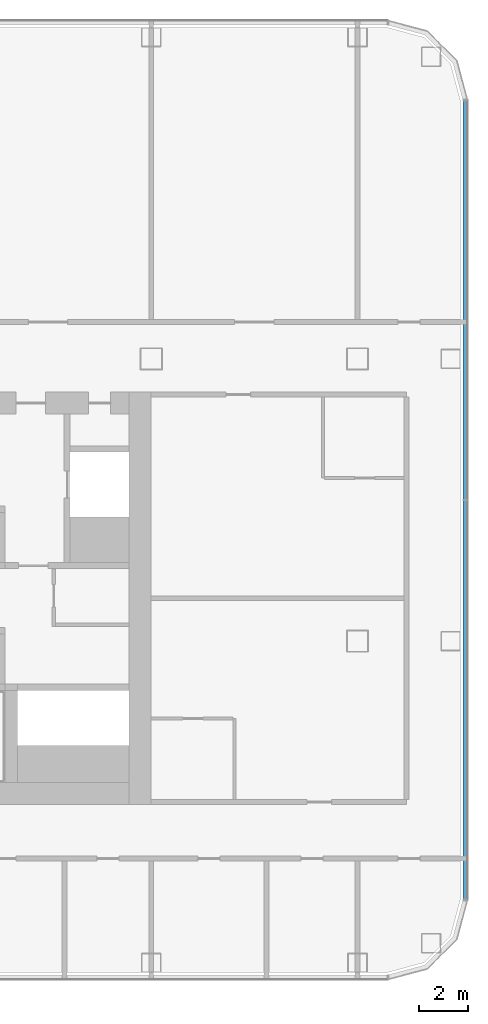
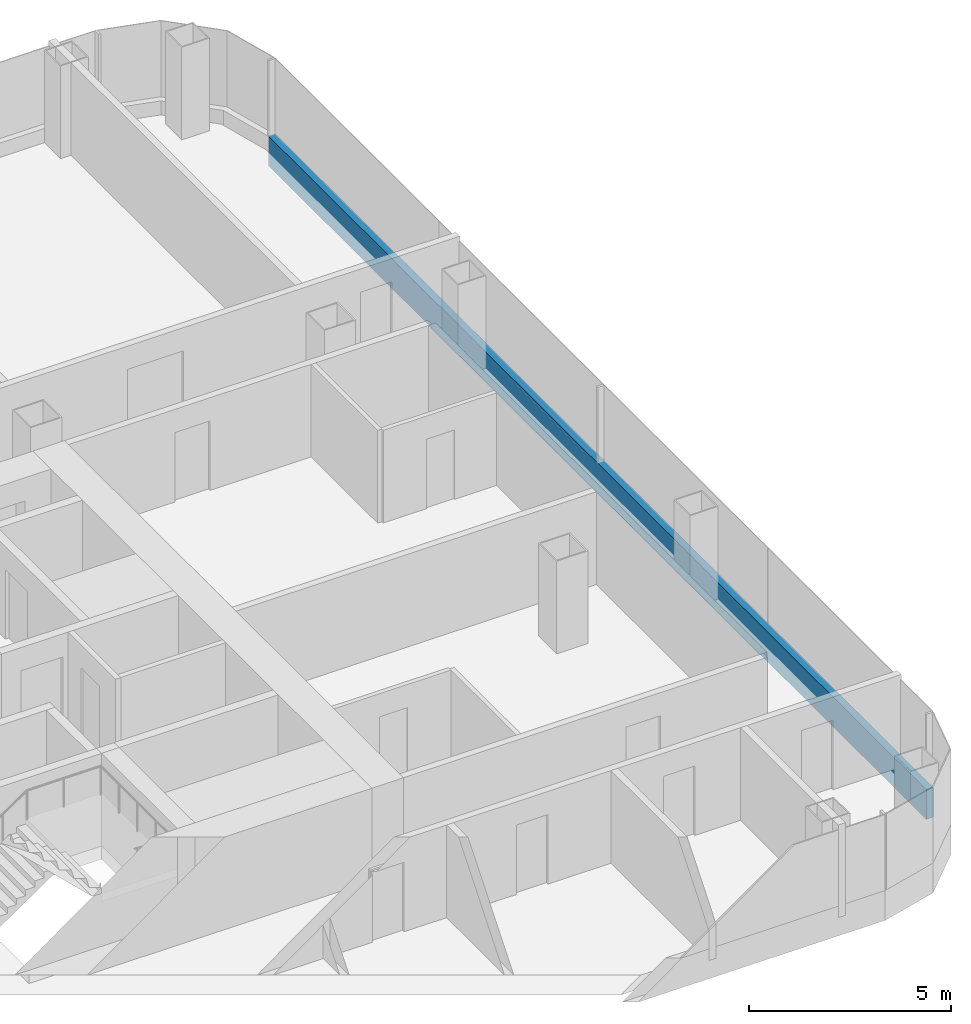
# One storey, part 12 of 29: 1 member, 1 element without a shape of its own.
"""IFC4 building model written with IfcOpenShell, lengths in metres."""

from ifc_helpers import new_model, si_unit, direction, frame, origin, origin_2d, place, context, subcontext, project, spatial, rectangle, extrude, material, layer, layer_set, material_profile, profile_set, type_object, element, aggregate, save


model = new_model("IFC4")

# Units and contexts
model_context = context("Model", 3, precision=1e-05, world=origin(), true_north=direction((0.0, 1.0)))
body_context = subcontext(model_context, "Body", "Model", "MODEL_VIEW")
ifc_project = project(units=[si_unit("LENGTHUNIT", "METRE"), si_unit("AREAUNIT", "SQUARE_METRE"), si_unit("VOLUMEUNIT", "CUBIC_METRE"), si_unit("PLANEANGLEUNIT", "RADIAN"), si_unit("MASSUNIT", "GRAM", prefix="KILO")], contexts=[model_context])

# Site, building, storey
site_placement = place(None, origin())
site = spatial("IfcSite", under=ifc_project, at=site_placement, CompositionType="ELEMENT")
building_placement = place(site_placement, origin())
building = spatial("IfcBuilding", under=site, at=building_placement, Name="Hakoniwa Tower and Hamabe Station Hall", CompositionType="ELEMENT")
storey_placement = place(building_placement, frame((0.0, 0.0, 78.60009765625)))
storey = spatial("IfcBuildingStorey", under=building, at=storey_placement, Name="L21", CompositionType="ELEMENT", Elevation=78.60009765625)

# Curtain wall, member
ifc_material_1 = material(Name="Dark low-e laminated glass", Category="glass")
ifc_layer = layer(ifc_material_1, 0.199951171875)
ifc_layer_set = layer_set([ifc_layer], Name="CW-1 UNITISED GUEST")
curtain_wall_type = type_object("IfcCurtainWallType", Name="CW-1 UNITISED GUEST", PredefinedType="NOTDEFINED", material=ifc_layer_set)
curtain_wall_placement = place(storey_placement, origin())
curtain_wall = element("IfcCurtainWall", 1, at=curtain_wall_placement, inside=storey, type_object=curtain_wall_type, Name="CW-1 curtain wall", PredefinedType="NOTDEFINED")
ifc_material_2 = material(Name="Aluminium 6063-T5 black anodised", Category="aluminium")
ifc_material_profile = material_profile(ifc_material_2, rectangle(XDim=0.199951171875, YDim=0.89990234375, at=origin_2d()), Name="CW SLAB-EDGE BAND 900X200")
ifc_profile_set = profile_set([ifc_material_profile], Name="Aluminium 6063-T5 black anodised")
member_type = type_object("IfcMemberType", Name="CW SLAB-EDGE BAND 900X200", PredefinedType="USERDEFINED", material=ifc_profile_set)
member_placement = place(storey_placement, frame((46.39990234375, -12.28955078125, -0.10009765625), z_axis=(0.0, 1.0, 0.0), x_axis=(-1.0, 0.0, 0.0)))
member = element("IfcMember", 2, at=member_placement, type_object=member_type, Name="CW-1 transom", ObjectType="TRANSOM", PredefinedType="USERDEFINED", context=body_context, shape_type="SweptSolid", body=[
    extrude(rectangle(XDim=0.199951171875, YDim=0.89990234375, at=origin_2d()), origin(), (0.0, 0.0, 1.0), 32.5791015625),
])
aggregate(curtain_wall, [member])

save(model, "model.ifc")
